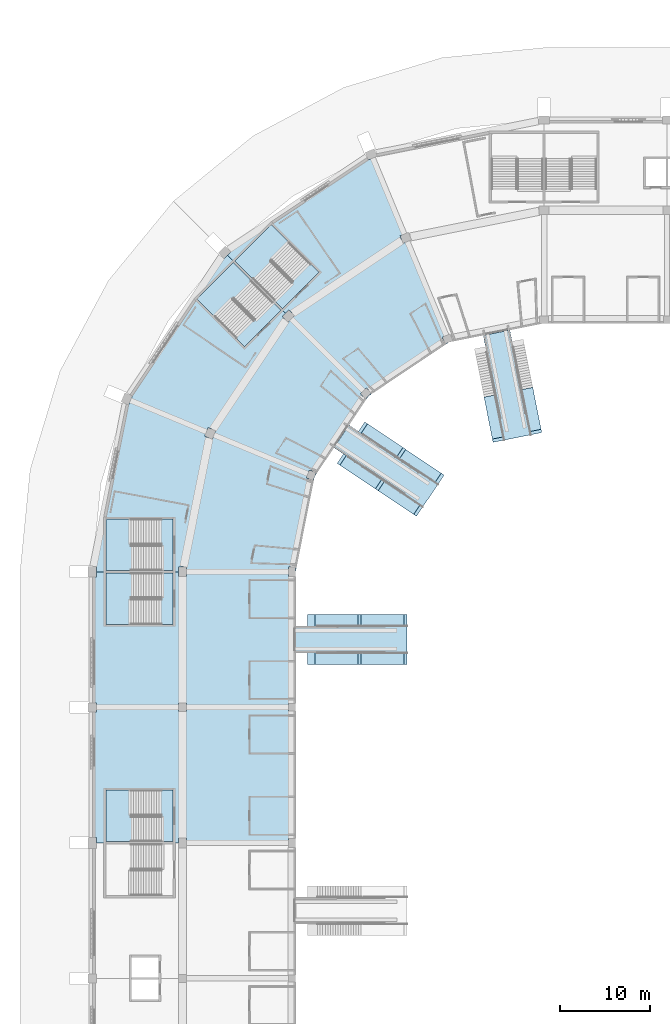
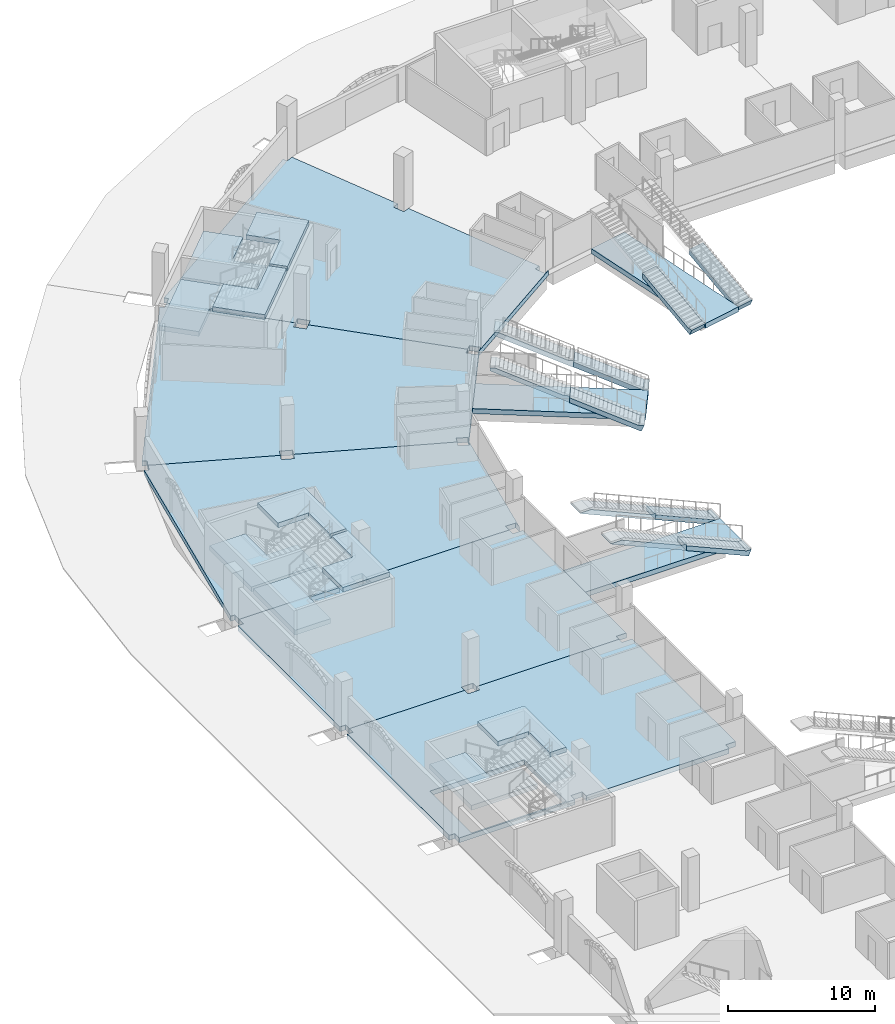
# One storey, part 21 of 175: 28 slabs, 5 elements without a shape of their own.
"""IFC4 building model written with IfcOpenShell, lengths in metres."""

from ifc_helpers import new_model, si_unit, direction, frame, origin, place, context, subcontext, project, spatial, polyline, outline, extrude, material, layer, layer_set, type_object, element, aggregate, save


model = new_model("IFC4")

# Units and contexts
model_context = context("Model", 3, precision=1e-05, world=origin(), true_north=direction((0.0, 1.0)))
body_context = subcontext(model_context, "Body", "Model", "MODEL_VIEW")
ifc_project = project(units=[si_unit("LENGTHUNIT", "METRE"), si_unit("AREAUNIT", "SQUARE_METRE"), si_unit("VOLUMEUNIT", "CUBIC_METRE"), si_unit("PLANEANGLEUNIT", "RADIAN"), si_unit("MASSUNIT", "GRAM", prefix="KILO")], contexts=[model_context])

# Site, building, storey
site_placement = place(None, origin())
site = spatial("IfcSite", under=ifc_project, at=site_placement, CompositionType="ELEMENT")
building_placement = place(site_placement, origin())
building = spatial("IfcBuilding", under=site, at=building_placement, Name="Ogive Plaza Stadium", CompositionType="ELEMENT")
storey_placement = place(building_placement, origin())
storey = spatial("IfcBuildingStorey", under=building, at=storey_placement, Name="L00", CompositionType="ELEMENT", Elevation=0.0)

# Slabs
ifc_material_1 = material(Name="Concrete C40/50", Category="concrete")
ifc_layer_1 = layer(ifc_material_1, 0.52587890625)
ifc_layer_set_1 = layer_set([ifc_layer_1], Name="Concrete C40/50")
ifc_layer_2 = layer(ifc_material_1, 0.449951171875)
ifc_layer_set_2 = layer_set([ifc_layer_2], Name="Concrete C40/50")
slab_type_1 = type_object("IfcSlabType", Name="Aisle stair slab 1300", PredefinedType="USERDEFINED", material=ifc_layer_set_2)
slab_1_placement = place(storey_placement, frame((-49.14990234375, 47.125244140625, 0.0), z_axis=(0.0, 0.0, 1.0), x_axis=(-1.0, 0.0, 0.0)))
element("IfcSlab", 1, at=slab_1_placement, inside=storey, type_object=slab_type_1, material=ifc_layer_set_1, Name="Aisle stair SA27L slab 1", ObjectType="AISLE STAIR SLAB", PredefinedType="USERDEFINED", context=body_context, shape_type="SweptSolid", body=[
    extrude(outline(polyline([(0.0, 0.0), (0.37158203125, 0.0), (5.10009765625, 2.086181640625), (5.10009765625, 1.675048828125), (5.01220703125, 1.63623046875), (4.8623046875, 1.570068359375), (4.71240234375, 1.50390625), (4.562255859375, 1.437744140625), (4.412353515625, 1.37158203125), (4.26220703125, 1.305419921875), (4.1123046875, 1.2392578125), (3.96240234375, 1.173095703125), (3.812255859375, 1.10693359375), (3.662353515625, 1.040771484375), (3.51220703125, 0.974609375), (3.3623046875, 0.908447265625), (3.21240234375, 0.84228515625), (3.062255859375, 0.77587890625), (2.912353515625, 0.709716796875), (2.76220703125, 0.643798828125), (2.6123046875, 0.577392578125), (2.46240234375, 0.51123046875), (2.312255859375, 0.445068359375), (2.162353515625, 0.37890625), (2.01220703125, 0.312744140625), (1.8623046875, 0.24658203125), (1.71240234375, 0.180419921875), (1.562255859375, 0.1142578125), (1.412353515625, 0.048095703125), (1.26220703125, -0.01806640625), (1.1123046875, -0.084228515625), (0.96240234375, -0.150390625), (0.812255859375, -0.216552734375), (0.662353515625, -0.28271484375), (0.51220703125, -0.34912109375), (0.3623046875, -0.415283203125), (0.21240234375, -0.481201171875), (0.0, 0.0)])), frame((0.0, 0.624755859375, 0.0), z_axis=(0.0, -1.0, 0.0), x_axis=(1.0, 0.0, 0.0)), (0.0, 0.0, 1.0), 1.24951171875),
])
ifc_layer_3 = layer(ifc_material_1, 0.82373046875)
ifc_layer_set_3 = layer_set([ifc_layer_3], Name="Concrete C40/50")
slab_2_placement = place(storey_placement, frame((-54.25, 47.10009765625, 0.0), z_axis=(0.0, 0.0, 1.0), x_axis=(-1.0, 0.0, 0.0)))
element("IfcSlab", 2, at=slab_2_placement, inside=storey, type_object=slab_type_1, material=ifc_layer_set_3, Name="Aisle stair SA27L slab 2", ObjectType="AISLE STAIR SLAB", PredefinedType="USERDEFINED", context=body_context, shape_type="SweptSolid", body=[
    extrude(outline(polyline([(0.0, 2.25), (0.37158203125, 2.25), (5.10009765625, 4.336181640625), (5.949951171875, 4.336181640625), (5.949951171875, 4.300048828125), (5.85009765625, 4.255859375), (5.699951171875, 4.189697265625), (5.550048828125, 4.12353515625), (5.39990234375, 4.057373046875), (5.25, 3.9912109375), (5.10009765625, 3.925048828125), (4.949951171875, 3.85888671875), (4.800048828125, 3.79248046875), (4.64990234375, 3.7265625), (4.5, 3.660400390625), (4.35009765625, 3.593994140625), (4.199951171875, 3.52783203125), (4.050048828125, 3.4619140625), (3.89990234375, 3.3955078125), (3.75, 3.329345703125), (3.60009765625, 3.26318359375), (3.449951171875, 3.197021484375), (3.300048828125, 3.130859375), (3.14990234375, 3.064697265625), (3.0, 2.99853515625), (2.85009765625, 2.932373046875), (2.699951171875, 2.8662109375), (2.550048828125, 2.800048828125), (2.39990234375, 2.73388671875), (2.25, 2.66748046875), (2.10009765625, 2.6015625), (1.949951171875, 2.535400390625), (1.800048828125, 2.468994140625), (1.64990234375, 2.40283203125), (1.5, 2.3369140625), (1.35009765625, 2.2705078125), (1.199951171875, 2.204345703125), (1.050048828125, 2.13818359375), (0.89990234375, 2.072021484375), (0.75, 2.005859375), (0.60009765625, 1.939697265625), (0.449951171875, 1.87353515625), (0.300048828125, 1.807373046875), (0.14990234375, 1.7412109375), (0.0, 1.675048828125), (0.0, 2.25)])), frame((0.0, 0.64990234375, 0.0), z_axis=(0.0, -1.0, 0.0), x_axis=(1.0, 0.0, 0.0)), (0.0, 0.0, 1.0), 1.300048828125),
])
slab_3_placement = place(storey_placement, frame((-49.14990234375, 42.874755859375, 0.0), z_axis=(0.0, 0.0, 1.0), x_axis=(-1.0, 0.0, 0.0)))
element("IfcSlab", 3, at=slab_3_placement, inside=storey, type_object=slab_type_1, material=ifc_layer_set_1, Name="Aisle stair SA27R slab 1", ObjectType="AISLE STAIR SLAB", PredefinedType="USERDEFINED", context=body_context, shape_type="SweptSolid", body=[
    extrude(outline(polyline([(0.0, 0.0), (0.37158203125, 0.0), (5.10009765625, 2.086181640625), (5.10009765625, 1.675048828125), (5.01220703125, 1.63623046875), (4.8623046875, 1.570068359375), (4.71240234375, 1.50390625), (4.562255859375, 1.437744140625), (4.412353515625, 1.37158203125), (4.26220703125, 1.305419921875), (4.1123046875, 1.2392578125), (3.96240234375, 1.173095703125), (3.812255859375, 1.10693359375), (3.662353515625, 1.040771484375), (3.51220703125, 0.974609375), (3.3623046875, 0.908447265625), (3.21240234375, 0.84228515625), (3.062255859375, 0.77587890625), (2.912353515625, 0.709716796875), (2.76220703125, 0.643798828125), (2.6123046875, 0.577392578125), (2.46240234375, 0.51123046875), (2.312255859375, 0.445068359375), (2.162353515625, 0.37890625), (2.01220703125, 0.312744140625), (1.8623046875, 0.24658203125), (1.71240234375, 0.180419921875), (1.562255859375, 0.1142578125), (1.412353515625, 0.048095703125), (1.26220703125, -0.01806640625), (1.1123046875, -0.084228515625), (0.96240234375, -0.150390625), (0.812255859375, -0.216552734375), (0.662353515625, -0.28271484375), (0.51220703125, -0.34912109375), (0.3623046875, -0.415283203125), (0.21240234375, -0.481201171875), (0.0, 0.0)])), frame((0.0, 0.624755859375, 0.0), z_axis=(0.0, -1.0, 0.0), x_axis=(1.0, 0.0, 0.0)), (0.0, 0.0, 1.0), 1.24951171875),
])
slab_4_placement = place(storey_placement, frame((-54.25, 42.89990234375, 0.0), z_axis=(0.0, 0.0, 1.0), x_axis=(-1.0, 0.0, 0.0)))
element("IfcSlab", 4, at=slab_4_placement, inside=storey, type_object=slab_type_1, material=ifc_layer_set_3, Name="Aisle stair SA27R slab 2", ObjectType="AISLE STAIR SLAB", PredefinedType="USERDEFINED", context=body_context, shape_type="SweptSolid", body=[
    extrude(outline(polyline([(0.0, 2.25), (0.37158203125, 2.25), (5.10009765625, 4.336181640625), (5.949951171875, 4.336181640625), (5.949951171875, 4.300048828125), (5.85009765625, 4.255859375), (5.699951171875, 4.189697265625), (5.550048828125, 4.12353515625), (5.39990234375, 4.057373046875), (5.25, 3.9912109375), (5.10009765625, 3.925048828125), (4.949951171875, 3.85888671875), (4.800048828125, 3.79248046875), (4.64990234375, 3.7265625), (4.5, 3.660400390625), (4.35009765625, 3.593994140625), (4.199951171875, 3.52783203125), (4.050048828125, 3.4619140625), (3.89990234375, 3.3955078125), (3.75, 3.329345703125), (3.60009765625, 3.26318359375), (3.449951171875, 3.197021484375), (3.300048828125, 3.130859375), (3.14990234375, 3.064697265625), (3.0, 2.99853515625), (2.85009765625, 2.932373046875), (2.699951171875, 2.8662109375), (2.550048828125, 2.800048828125), (2.39990234375, 2.73388671875), (2.25, 2.66748046875), (2.10009765625, 2.6015625), (1.949951171875, 2.535400390625), (1.800048828125, 2.468994140625), (1.64990234375, 2.40283203125), (1.5, 2.3369140625), (1.35009765625, 2.2705078125), (1.199951171875, 2.204345703125), (1.050048828125, 2.13818359375), (0.89990234375, 2.072021484375), (0.75, 2.005859375), (0.60009765625, 1.939697265625), (0.449951171875, 1.87353515625), (0.300048828125, 1.807373046875), (0.14990234375, 1.7412109375), (0.0, 1.675048828125), (0.0, 2.25)])), frame((0.0, 0.64990234375, 0.0), z_axis=(0.0, -1.0, 0.0), x_axis=(1.0, 0.0, 0.0)), (0.0, 0.0, 1.0), 1.300048828125),
])
slab_5_placement = place(storey_placement, frame((-45.416015625, 62.68408203125, 0.0), z_axis=(0.0, 0.0, 1.0), x_axis=(-0.831469612303, 0.55557023302, 0.0)))
element("IfcSlab", 5, at=slab_5_placement, inside=storey, type_object=slab_type_1, material=ifc_layer_set_1, Name="Aisle stair SA29L slab 1", ObjectType="AISLE STAIR SLAB", PredefinedType="USERDEFINED", context=body_context, shape_type="SweptSolid", body=[
    extrude(outline(polyline([(0.0, 0.0), (0.37158203125, 0.0), (5.10009765625, 2.086181640625), (5.10009765625, 1.675048828125), (5.01220703125, 1.63623046875), (4.8623046875, 1.570068359375), (4.71240234375, 1.50390625), (4.562255859375, 1.437744140625), (4.412353515625, 1.37158203125), (4.26220703125, 1.305419921875), (4.1123046875, 1.2392578125), (3.96240234375, 1.173095703125), (3.812255859375, 1.10693359375), (3.662353515625, 1.040771484375), (3.51220703125, 0.974609375), (3.3623046875, 0.908447265625), (3.21240234375, 0.84228515625), (3.062255859375, 0.77587890625), (2.912353515625, 0.709716796875), (2.76220703125, 0.643798828125), (2.6123046875, 0.577392578125), (2.46240234375, 0.51123046875), (2.312255859375, 0.445068359375), (2.162353515625, 0.37890625), (2.01220703125, 0.312744140625), (1.8623046875, 0.24658203125), (1.71240234375, 0.180419921875), (1.562255859375, 0.1142578125), (1.412353515625, 0.048095703125), (1.26220703125, -0.01806640625), (1.1123046875, -0.084228515625), (0.96240234375, -0.150390625), (0.812255859375, -0.216552734375), (0.662353515625, -0.28271484375), (0.51220703125, -0.34912109375), (0.3623046875, -0.415283203125), (0.21240234375, -0.481201171875), (0.0, 0.0)])), frame((0.0, 0.624755859375, 0.0), z_axis=(0.0, -1.0, 0.0), x_axis=(1.0, 0.0, 0.0)), (0.0, 0.0, 1.0), 1.24951171875),
])
ifc_layer_4 = layer(ifc_material_1, 0.660888671875)
ifc_layer_set_4 = layer_set([ifc_layer_4], Name="Concrete C40/50")
slab_6_placement = place(storey_placement, frame((-49.670654296875, 65.496337890625, 0.0), z_axis=(0.0, 0.0, 1.0), x_axis=(-0.831469612303, 0.55557023302, 0.0)))
element("IfcSlab", 6, at=slab_6_placement, inside=storey, type_object=slab_type_1, material=ifc_layer_set_4, Name="Aisle stair SA29L slab 2", ObjectType="AISLE STAIR SLAB", PredefinedType="USERDEFINED", context=body_context, shape_type="SweptSolid", body=[
    extrude(outline(polyline([(0.0, 2.25), (0.37158203125, 2.25), (5.10009765625, 4.336181640625), (5.446533203125, 4.336181640625), (5.446533203125, 4.077880859375), (5.39990234375, 4.057373046875), (5.25, 3.9912109375), (5.10009765625, 3.925048828125), (4.949951171875, 3.85888671875), (4.800048828125, 3.79248046875), (4.64990234375, 3.7265625), (4.5, 3.660400390625), (4.35009765625, 3.593994140625), (4.199951171875, 3.52783203125), (4.050048828125, 3.4619140625), (3.89990234375, 3.3955078125), (3.75, 3.329345703125), (3.60009765625, 3.26318359375), (3.449951171875, 3.197021484375), (3.300048828125, 3.130859375), (3.14990234375, 3.064697265625), (3.0, 2.99853515625), (2.85009765625, 2.932373046875), (2.699951171875, 2.8662109375), (2.550048828125, 2.800048828125), (2.39990234375, 2.73388671875), (2.25, 2.66748046875), (2.10009765625, 2.6015625), (1.949951171875, 2.535400390625), (1.800048828125, 2.468994140625), (1.64990234375, 2.40283203125), (1.5, 2.3369140625), (1.35009765625, 2.2705078125), (1.199951171875, 2.204345703125), (1.050048828125, 2.13818359375), (0.89990234375, 2.072021484375), (0.75, 2.005859375), (0.60009765625, 1.939697265625), (0.449951171875, 1.87353515625), (0.300048828125, 1.807373046875), (0.14990234375, 1.7412109375), (0.0, 1.675048828125), (0.0, 2.25)])), frame((0.0, 0.64990234375, 0.0), z_axis=(0.0, -1.0, 0.0), x_axis=(1.0, 0.0, 0.0)), (0.0, 0.0, 1.0), 1.300048828125),
])
slab_7_placement = place(storey_placement, frame((-47.777587890625, 59.14990234375, 0.0), z_axis=(0.0, 0.0, 1.0), x_axis=(-0.831469612303, 0.55557023302, 0.0)))
element("IfcSlab", 7, at=slab_7_placement, inside=storey, type_object=slab_type_1, material=ifc_layer_set_1, Name="Aisle stair SA29R slab 1", ObjectType="AISLE STAIR SLAB", PredefinedType="USERDEFINED", context=body_context, shape_type="SweptSolid", body=[
    extrude(outline(polyline([(0.0, 0.0), (0.37158203125, 0.0), (5.10009765625, 2.086181640625), (5.10009765625, 1.675048828125), (5.01220703125, 1.63623046875), (4.8623046875, 1.570068359375), (4.71240234375, 1.50390625), (4.562255859375, 1.437744140625), (4.412353515625, 1.37158203125), (4.26220703125, 1.305419921875), (4.1123046875, 1.2392578125), (3.96240234375, 1.173095703125), (3.812255859375, 1.10693359375), (3.662353515625, 1.040771484375), (3.51220703125, 0.974609375), (3.3623046875, 0.908447265625), (3.21240234375, 0.84228515625), (3.062255859375, 0.77587890625), (2.912353515625, 0.709716796875), (2.76220703125, 0.643798828125), (2.6123046875, 0.577392578125), (2.46240234375, 0.51123046875), (2.312255859375, 0.445068359375), (2.162353515625, 0.37890625), (2.01220703125, 0.312744140625), (1.8623046875, 0.24658203125), (1.71240234375, 0.180419921875), (1.562255859375, 0.1142578125), (1.412353515625, 0.048095703125), (1.26220703125, -0.01806640625), (1.1123046875, -0.084228515625), (0.96240234375, -0.150390625), (0.812255859375, -0.216552734375), (0.662353515625, -0.28271484375), (0.51220703125, -0.34912109375), (0.3623046875, -0.415283203125), (0.21240234375, -0.481201171875), (0.0, 0.0)])), frame((0.0, 0.624755859375, 0.0), z_axis=(0.0, -1.0, 0.0), x_axis=(1.0, 0.0, 0.0)), (0.0, 0.0, 1.0), 1.24951171875),
])
slab_8_placement = place(storey_placement, frame((-52.00390625, 62.004150390625, 0.0), z_axis=(0.0, 0.0, 1.0), x_axis=(-0.831469612303, 0.55557023302, 0.0)))
element("IfcSlab", 8, at=slab_8_placement, inside=storey, type_object=slab_type_1, material=ifc_layer_set_4, Name="Aisle stair SA29R slab 2", ObjectType="AISLE STAIR SLAB", PredefinedType="USERDEFINED", context=body_context, shape_type="SweptSolid", body=[
    extrude(outline(polyline([(0.0, 2.25), (0.37158203125, 2.25), (5.10009765625, 4.336181640625), (5.446533203125, 4.336181640625), (5.446533203125, 4.077880859375), (5.39990234375, 4.057373046875), (5.25, 3.9912109375), (5.10009765625, 3.925048828125), (4.949951171875, 3.85888671875), (4.800048828125, 3.79248046875), (4.64990234375, 3.7265625), (4.5, 3.660400390625), (4.35009765625, 3.593994140625), (4.199951171875, 3.52783203125), (4.050048828125, 3.4619140625), (3.89990234375, 3.3955078125), (3.75, 3.329345703125), (3.60009765625, 3.26318359375), (3.449951171875, 3.197021484375), (3.300048828125, 3.130859375), (3.14990234375, 3.064697265625), (3.0, 2.99853515625), (2.85009765625, 2.932373046875), (2.699951171875, 2.8662109375), (2.550048828125, 2.800048828125), (2.39990234375, 2.73388671875), (2.25, 2.66748046875), (2.10009765625, 2.6015625), (1.949951171875, 2.535400390625), (1.800048828125, 2.468994140625), (1.64990234375, 2.40283203125), (1.5, 2.3369140625), (1.35009765625, 2.2705078125), (1.199951171875, 2.204345703125), (1.050048828125, 2.13818359375), (0.89990234375, 2.072021484375), (0.75, 2.005859375), (0.60009765625, 1.939697265625), (0.449951171875, 1.87353515625), (0.300048828125, 1.807373046875), (0.14990234375, 1.7412109375), (0.0, 1.675048828125), (0.0, 2.25)])), frame((0.0, 0.64990234375, 0.0), z_axis=(0.0, -1.0, 0.0), x_axis=(1.0, 0.0, 0.0)), (0.0, 0.0, 1.0), 1.300048828125),
])
for number, where, z_axis, x_axis, name in (
    (9, (-34.87109375, 67.7734375, 0.0), (0.0, 0.0, 1.0), (-0.195090322016, 0.980785280403, 0.0), "Aisle stair SA31L slab 1"),
    (10, (-39.0400390625, 66.9443359375, 0.0), (0.0, 0.0, 1.0), (-0.195090322016, 0.980785280403, 0.0), "Aisle stair SA31R slab 1"),
):
    element("IfcSlab", number, at=place(storey_placement, frame(where, z_axis=z_axis, x_axis=x_axis)), inside=storey, type_object=slab_type_1, material=ifc_layer_set_1, Name=name, ObjectType="AISLE STAIR SLAB", PredefinedType="USERDEFINED", context=body_context, shape_type="SweptSolid", body=[
        extrude(outline(polyline([(0.0, 0.0), (0.37158203125, 0.0), (5.10009765625, 2.086181640625), (5.10009765625, 1.675048828125), (5.01220703125, 1.63623046875), (4.8623046875, 1.570068359375), (4.71240234375, 1.50390625), (4.562255859375, 1.437744140625), (4.412353515625, 1.37158203125), (4.26220703125, 1.305419921875), (4.1123046875, 1.2392578125), (3.96240234375, 1.173095703125), (3.812255859375, 1.10693359375), (3.662353515625, 1.040771484375), (3.51220703125, 0.974609375), (3.3623046875, 0.908447265625), (3.21240234375, 0.84228515625), (3.062255859375, 0.77587890625), (2.912353515625, 0.709716796875), (2.76220703125, 0.643798828125), (2.6123046875, 0.577392578125), (2.46240234375, 0.51123046875), (2.312255859375, 0.445068359375), (2.162353515625, 0.37890625), (2.01220703125, 0.312744140625), (1.8623046875, 0.24658203125), (1.71240234375, 0.180419921875), (1.562255859375, 0.1142578125), (1.412353515625, 0.048095703125), (1.26220703125, -0.01806640625), (1.1123046875, -0.084228515625), (0.96240234375, -0.150390625), (0.812255859375, -0.216552734375), (0.662353515625, -0.28271484375), (0.51220703125, -0.34912109375), (0.3623046875, -0.415283203125), (0.21240234375, -0.481201171875), (0.0, 0.0)])), frame((0.0, 0.624755859375, 0.0), z_axis=(0.0, -1.0, 0.0), x_axis=(1.0, 0.0, 0.0)), (0.0, 0.0, 1.0), 1.24951171875),
    ])
ifc_material_2 = material(Name="Concrete C40/50", Category="concrete")
ifc_layer_5 = layer(ifc_material_2, 0.409912109375)
ifc_layer_set_5 = layer_set([ifc_layer_5], Name="Concrete C40/50")
slab_type_2 = type_object("IfcSlabType", Name="RC floor slab 410", PredefinedType="FLOOR", material=ifc_layer_set_5)
slab_9_placement = place(storey_placement, frame((0.0, 0.0, -0.409912109375)))
element("IfcSlab", 11, at=slab_9_placement, inside=storey, type_object=slab_type_2, Name="Floor slab L00 B26", PredefinedType="FLOOR", context=body_context, shape_type="SweptSolid", body=[
    extrude(outline(polyline([(-73.550048828125, 37.5), (-73.550048828125, 37.050048828125), (-74.449951171875, 37.050048828125), (-74.449951171875, 37.5), (-83.550048828125, 37.5), (-83.550048828125, 37.0), (-84.0, 37.0), (-84.0, 23.10009765625), (-83.550048828125, 23.10009765625), (-83.550048828125, 22.5), (-74.449951171875, 22.5), (-74.449951171875, 23.050048828125), (-73.550048828125, 23.050048828125), (-73.550048828125, 22.5), (-62.300048828125, 22.5), (-62.300048828125, 23.0), (-61.5, 23.0), (-61.5, 37.10009765625), (-62.300048828125, 37.10009765625), (-62.300048828125, 37.5), (-73.550048828125, 37.5)]), holes=[polyline([(-75.050048828125, 28.324951171875), (-82.510009765625, 28.324951171875), (-82.510009765625, 22.625), (-75.050048828125, 22.625), (-75.050048828125, 28.324951171875)])]), origin(), (0.0, 0.0, 1.0), 0.409912109375),
])
slab_10_placement = place(storey_placement, frame((0.0, 0.0, -0.409912109375)))
element("IfcSlab", 12, at=slab_10_placement, inside=storey, type_object=slab_type_2, Name="Floor slab L00 B27", PredefinedType="FLOOR", context=body_context, shape_type="SweptSolid", body=[
    extrude(outline(polyline([(-73.550048828125, 52.5), (-73.550048828125, 51.949951171875), (-74.449951171875, 51.949951171875), (-74.449951171875, 52.5), (-83.550048828125, 52.5), (-83.550048828125, 51.89990234375), (-84.0, 51.89990234375), (-84.0, 38.0), (-83.550048828125, 38.0), (-83.550048828125, 37.5), (-74.449951171875, 37.5), (-74.449951171875, 37.949951171875), (-73.550048828125, 37.949951171875), (-73.550048828125, 37.5), (-62.300048828125, 37.5), (-62.300048828125, 37.89990234375), (-61.5, 37.89990234375), (-61.5, 52.0), (-62.300048828125, 52.0), (-62.300048828125, 52.5), (-73.550048828125, 52.5)])), origin(), (0.0, 0.0, 1.0), 0.409912109375),
])
slab_11_placement = place(storey_placement, frame((0.0, 0.0, -0.409912109375)))
element("IfcSlab", 13, at=slab_11_placement, inside=storey, type_object=slab_type_2, Name="Floor slab L00 B28", PredefinedType="FLOOR", context=body_context, shape_type="SweptSolid", body=[
    extrude(outline(polyline([(-70.53955078125, 67.635009765625), (-70.730712890625, 67.173095703125), (-71.562255859375, 67.517578125), (-71.370849609375, 67.9794921875), (-79.7783203125, 71.4619140625), (-79.98876953125, 70.953857421875), (-80.303466796875, 71.084228515625), (-83.880615234375, 53.10009765625), (-83.550048828125, 53.10009765625), (-83.550048828125, 52.5), (-74.449951171875, 52.5), (-74.449951171875, 53.050048828125), (-73.550048828125, 53.050048828125), (-73.550048828125, 52.5), (-62.300048828125, 52.5), (-62.300048828125, 53.0), (-61.5, 53.0), (-61.5, 52.5), (-59.40673828125, 63.023681640625), (-59.578857421875, 62.608154296875), (-60.318115234375, 62.914306640625), (-60.145751953125, 63.329833984375), (-70.53955078125, 67.635009765625)])), origin(), (0.0, 0.0, 1.0), 0.409912109375),
])
slab_12_placement = place(storey_placement, frame((0.0, 0.0, -0.409912109375)))
element("IfcSlab", 14, at=slab_12_placement, inside=storey, type_object=slab_type_2, Name="Floor slab L00 B29", PredefinedType="FLOOR", context=body_context, shape_type="SweptSolid", body=[
    extrude(outline(polyline([(-61.966064453125, 80.466064453125), (-62.319580078125, 80.112548828125), (-62.9560546875, 80.7490234375), (-62.6025390625, 81.1025390625), (-69.037109375, 87.537109375), (-69.426025390625, 87.148193359375), (-69.6669921875, 87.38916015625), (-79.88232421875, 72.100341796875), (-79.56787109375, 71.97021484375), (-79.7783203125, 71.4619140625), (-71.370849609375, 67.9794921875), (-71.1796875, 68.44140625), (-70.34814453125, 68.09716796875), (-70.53955078125, 67.635009765625), (-60.145751953125, 63.329833984375), (-59.9736328125, 63.74560546875), (-59.234375, 63.439453125), (-59.40673828125, 63.023681640625), (-53.445556640625, 71.945556640625), (-53.763671875, 71.627197265625), (-54.329345703125, 72.19287109375), (-54.01123046875, 72.51123046875), (-61.966064453125, 80.466064453125)])), origin(), (0.0, 0.0, 1.0), 0.409912109375),
])
slab_13_placement = place(storey_placement, frame((0.0, 0.0, -0.409912109375)))
element("IfcSlab", 15, at=slab_13_placement, inside=storey, type_object=slab_type_2, Name="Floor slab L00 B30", PredefinedType="FLOOR", context=body_context, shape_type="SweptSolid", body=[
    extrude(outline(polyline([(-49.135009765625, 89.03955078125), (-49.59716796875, 88.84814453125), (-49.94140625, 89.6796875), (-49.4794921875, 89.870849609375), (-52.9619140625, 98.2783203125), (-53.47021484375, 98.06787109375), (-53.600341796875, 98.38232421875), (-68.88916015625, 88.1669921875), (-68.648193359375, 87.926025390625), (-69.037109375, 87.537109375), (-62.6025390625, 81.1025390625), (-62.2490234375, 81.4560546875), (-61.612548828125, 80.819580078125), (-61.966064453125, 80.466064453125), (-54.01123046875, 72.51123046875), (-53.69287109375, 72.829345703125), (-53.127197265625, 72.263671875), (-53.445556640625, 71.945556640625), (-44.523681640625, 77.90673828125), (-44.939453125, 77.734375), (-45.24560546875, 78.4736328125), (-44.829833984375, 78.645751953125), (-49.135009765625, 89.03955078125)])), origin(), (0.0, 0.0, 1.0), 0.409912109375),
])

# Stair, slabs
ifc_material_3 = material(Name="Concrete C40/50", Category="concrete")
stair_type = type_object("IfcStairType", Name="Exit stair", PredefinedType="STRAIGHT_RUN_STAIR", material=ifc_material_3)
stair_1_placement = place(storey_placement, origin())
stair_1 = element("IfcStair", 16, at=stair_1_placement, inside=storey, type_object=stair_type, Name="Exit stair ST26A L00 to L01", PredefinedType="STRAIGHT_RUN_STAIR")
ifc_material_4 = material(Name="Concrete C40/50", Category="concrete")
ifc_layer_6 = layer(ifc_material_4, 0.39990234375)
ifc_layer_set_6 = layer_set([ifc_layer_6], Name="Concrete C40/50")
slab_type_3 = type_object("IfcSlabType", Name="Stair landing", PredefinedType="LANDING", material=ifc_layer_set_6)
slab_14_placement = place(storey_placement, frame((0.0, 0.0, 1.85009765625)))
slab_14 = element("IfcSlab", 17, at=slab_14_placement, type_object=slab_type_3, Name="ST26A landing 1", PredefinedType="LANDING", context=body_context, shape_type="SweptSolid", body=[
    extrude(outline(polyline([(-82.510009765625, 22.625), (-82.510009765625, 28.324951171875), (-79.7099609375, 28.324951171875), (-79.7099609375, 25.425048828125), (-77.31005859375, 25.425048828125), (-77.31005859375, 22.625), (-79.7099609375, 22.625), (-82.510009765625, 22.625)])), origin(), (0.0, 0.0, 1.0), 0.39990234375),
])
slab_15_placement = place(storey_placement, frame((0.0, 0.0, 4.10009765625)))
slab_15 = element("IfcSlab", 18, at=slab_15_placement, type_object=slab_type_3, Name="ST26A landing 2", PredefinedType="LANDING", context=body_context, shape_type="SweptSolid", body=[
    extrude(outline(polyline([(-78.75, 25.52490234375), (-78.75, 28.324951171875), (-76.35009765625, 28.324951171875), (-75.050048828125, 28.324951171875), (-75.050048828125, 22.625), (-76.35009765625, 22.625), (-76.35009765625, 25.52490234375), (-78.75, 25.52490234375)])), origin(), (0.0, 0.0, 1.0), 0.39990234375),
])
aggregate(stair_1, [slab_14, slab_15])

stair_2_placement = place(storey_placement, origin())
stair_2 = element("IfcStair", 19, at=stair_2_placement, inside=storey, type_object=stair_type, Name="Exit stair ST28A L00 to L01", PredefinedType="STRAIGHT_RUN_STAIR")
slab_16_placement = place(storey_placement, frame((0.0, 0.0, 1.85009765625)))
slab_16 = element("IfcSlab", 20, at=slab_16_placement, type_object=slab_type_3, Name="ST28A landing 1", PredefinedType="LANDING", context=body_context, shape_type="SweptSolid", body=[
    extrude(outline(polyline([(-82.510009765625, 52.625), (-82.510009765625, 58.324951171875), (-79.7099609375, 58.324951171875), (-79.7099609375, 55.425048828125), (-77.31005859375, 55.425048828125), (-77.31005859375, 52.625), (-79.7099609375, 52.625), (-82.510009765625, 52.625)])), origin(), (0.0, 0.0, 1.0), 0.39990234375),
])
slab_17_placement = place(storey_placement, frame((0.0, 0.0, 4.10009765625)))
slab_17 = element("IfcSlab", 21, at=slab_17_placement, type_object=slab_type_3, Name="ST28A landing 2", PredefinedType="LANDING", context=body_context, shape_type="SweptSolid", body=[
    extrude(outline(polyline([(-78.75, 55.52490234375), (-78.75, 58.324951171875), (-76.35009765625, 58.324951171875), (-75.050048828125, 58.324951171875), (-75.050048828125, 52.625), (-76.35009765625, 52.625), (-76.35009765625, 55.52490234375), (-78.75, 55.52490234375)])), origin(), (0.0, 0.0, 1.0), 0.39990234375),
])
aggregate(stair_2, [slab_16, slab_17])

stair_3_placement = place(storey_placement, origin())
stair_3 = element("IfcStair", 22, at=stair_3_placement, inside=storey, type_object=stair_type, Name="Exit stair ST28B L00 to L01", PredefinedType="STRAIGHT_RUN_STAIR")
slab_18_placement = place(storey_placement, frame((0.0, 0.0, 1.85009765625)))
slab_18 = element("IfcSlab", 23, at=slab_18_placement, type_object=slab_type_3, Name="ST28B landing 1", PredefinedType="LANDING", context=body_context, shape_type="SweptSolid", body=[
    extrude(outline(polyline([(-77.31005859375, 52.375), (-77.31005859375, 49.574951171875), (-79.7099609375, 49.574951171875), (-79.7099609375, 46.675048828125), (-82.510009765625, 46.675048828125), (-82.510009765625, 52.375), (-79.7099609375, 52.375), (-77.31005859375, 52.375)])), origin(), (0.0, 0.0, 1.0), 0.39990234375),
])
slab_19_placement = place(storey_placement, frame((0.0, 0.0, 4.10009765625)))
slab_19 = element("IfcSlab", 24, at=slab_19_placement, type_object=slab_type_3, Name="ST28B landing 2", PredefinedType="LANDING", context=body_context, shape_type="SweptSolid", body=[
    extrude(outline(polyline([(-76.35009765625, 52.375), (-75.050048828125, 52.375), (-75.050048828125, 46.675048828125), (-76.35009765625, 46.675048828125), (-78.75, 46.675048828125), (-78.75, 49.47509765625), (-76.35009765625, 49.47509765625), (-76.35009765625, 52.375)])), origin(), (0.0, 0.0, 1.0), 0.39990234375),
])
aggregate(stair_3, [slab_18, slab_19])

stair_4_placement = place(storey_placement, origin())
stair_4 = element("IfcStair", 25, at=stair_4_placement, inside=storey, type_object=stair_type, Name="Exit stair ST30A L00 to L01", PredefinedType="STRAIGHT_RUN_STAIR")
slab_20_placement = place(storey_placement, frame((0.0, 0.0, 1.85009765625)))
slab_20 = element("IfcSlab", 26, at=slab_20_placement, type_object=slab_type_3, Name="ST30A landing 1", PredefinedType="LANDING", context=body_context, shape_type="SweptSolid", body=[
    extrude(outline(polyline([(-68.21337890625, 86.89013671875), (-64.182861328125, 90.920654296875), (-62.202880859375, 88.940673828125), (-64.253662109375, 86.89013671875), (-62.556396484375, 85.193115234375), (-64.536376953125, 83.213134765625), (-66.2333984375, 84.91015625), (-68.21337890625, 86.89013671875)])), origin(), (0.0, 0.0, 1.0), 0.39990234375),
])
slab_21_placement = place(storey_placement, frame((0.0, 0.0, 4.10009765625)))
slab_21 = element("IfcSlab", 27, at=slab_21_placement, type_object=slab_type_3, Name="ST30A landing 2", PredefinedType="LANDING", context=body_context, shape_type="SweptSolid", body=[
    extrude(outline(polyline([(-63.504150390625, 86.281982421875), (-61.524169921875, 88.261962890625), (-59.8271484375, 86.56494140625), (-58.90771484375, 85.645751953125), (-62.938232421875, 81.615234375), (-63.857666015625, 82.534423828125), (-61.806884765625, 84.5849609375), (-63.504150390625, 86.281982421875)])), origin(), (0.0, 0.0, 1.0), 0.39990234375),
])
aggregate(stair_4, [slab_20, slab_21])

stair_5_placement = place(storey_placement, origin())
stair_5 = element("IfcStair", 28, at=stair_5_placement, inside=storey, type_object=stair_type, Name="Exit stair ST30B L00 to L01", PredefinedType="STRAIGHT_RUN_STAIR")
slab_22_placement = place(storey_placement, frame((0.0, 0.0, 1.85009765625)))
slab_22 = element("IfcSlab", 29, at=slab_22_placement, type_object=slab_type_3, Name="ST30B landing 1", PredefinedType="LANDING", context=body_context, shape_type="SweptSolid", body=[
    extrude(outline(polyline([(-64.713134765625, 83.036376953125), (-66.693115234375, 81.056396484375), (-68.39013671875, 82.753662109375), (-70.440673828125, 80.702880859375), (-72.420654296875, 82.682861328125), (-68.39013671875, 86.71337890625), (-66.41015625, 84.7333984375), (-64.713134765625, 83.036376953125)])), origin(), (0.0, 0.0, 1.0), 0.39990234375),
])
slab_23_placement = place(storey_placement, frame((0.0, 0.0, 4.10009765625)))
slab_23 = element("IfcSlab", 30, at=slab_23_placement, type_object=slab_type_3, Name="ST30B landing 2", PredefinedType="LANDING", context=body_context, shape_type="SweptSolid", body=[
    extrude(outline(polyline([(-64.034423828125, 82.357666015625), (-63.115234375, 81.438232421875), (-67.145751953125, 77.40771484375), (-68.06494140625, 78.3271484375), (-69.761962890625, 80.024169921875), (-67.781982421875, 82.004150390625), (-66.0849609375, 80.306884765625), (-64.034423828125, 82.357666015625)])), origin(), (0.0, 0.0, 1.0), 0.39990234375),
])
aggregate(stair_5, [slab_22, slab_23])

# Slabs
ifc_material_5 = material(Name="Concrete C40/50", Category="concrete")
ifc_layer_7 = layer(ifc_material_5, 0.409912109375)
ifc_layer_set_7 = layer_set([ifc_layer_7], Name="Concrete C40/50")
slab_type_4 = type_object("IfcSlabType", Name="Vomitory floor slab 410", PredefinedType="FLOOR", material=ifc_layer_set_7)
slab_24_placement = place(storey_placement, frame((0.0, 0.0, -0.409912109375)))
element("IfcSlab", 31, at=slab_24_placement, inside=storey, type_object=slab_type_4, Name="Vomitory floor B27", PredefinedType="FLOOR", context=body_context, shape_type="SweptSolid", body=[
    extrude(outline(polyline([(-49.14990234375, 46.5), (-49.14990234375, 43.5), (-61.5, 43.5), (-61.5, 46.5), (-49.14990234375, 46.5)])), origin(), (0.0, 0.0, 1.0), 0.409912109375),
])
slab_25_placement = place(storey_placement, frame((0.0, 0.0, -0.409912109375)))
element("IfcSlab", 32, at=slab_25_placement, inside=storey, type_object=slab_type_4, Name="Vomitory floor B29", PredefinedType="FLOOR", context=body_context, shape_type="SweptSolid", body=[
    extrude(outline(polyline([(-45.763427734375, 62.1640625), (-47.43017578125, 59.669677734375), (-57.259521484375, 66.2373046875), (-55.5927734375, 68.73193359375), (-45.763427734375, 62.1640625)])), origin(), (0.0, 0.0, 1.0), 0.409912109375),
])
slab_26_placement = place(storey_placement, frame((0.0, 0.0, -0.409912109375)))
element("IfcSlab", 33, at=slab_26_placement, inside=storey, type_object=slab_type_4, Name="Vomitory floor B31", PredefinedType="FLOOR", context=body_context, shape_type="SweptSolid", body=[
    extrude(outline(polyline([(-35.484375, 67.651611328125), (-38.4267578125, 67.066162109375), (-40.733154296875, 78.66064453125), (-37.790771484375, 79.24609375), (-35.484375, 67.651611328125)])), origin(), (0.0, 0.0, 1.0), 0.409912109375),
])

save(model, "model.ifc")
